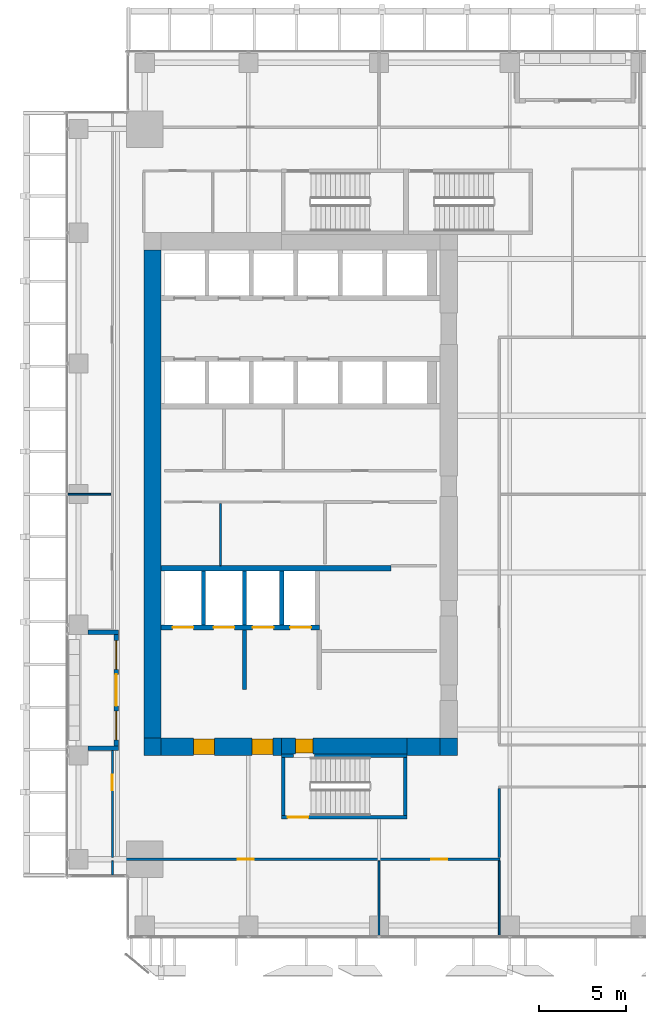
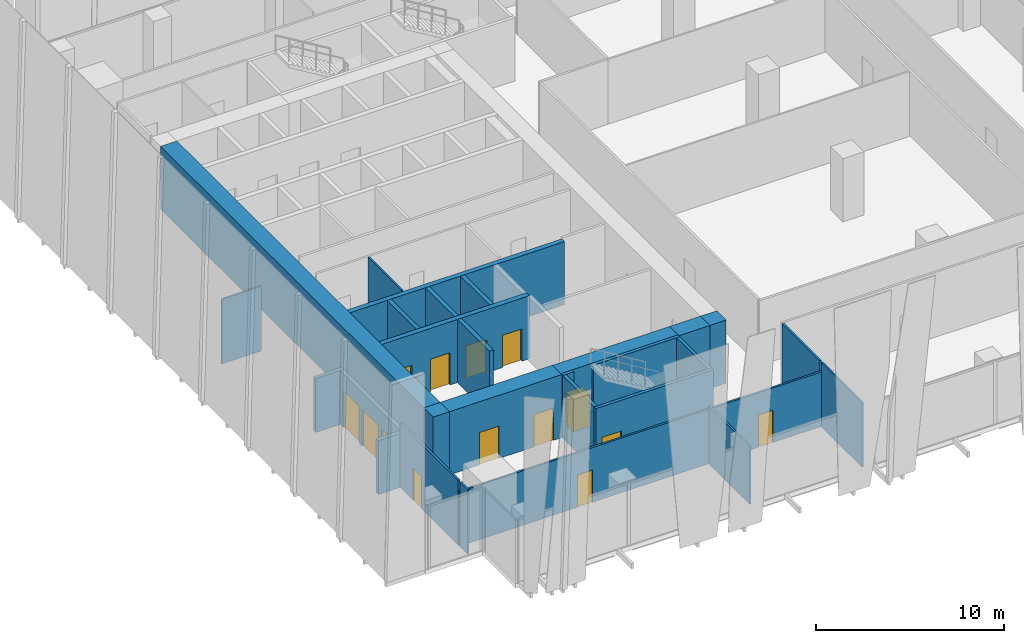
# One storey, part 26 of 34: 28 walls, 12 doors, 2 windows, 14 openings.
"""IFC4 building model written with IfcOpenShell, lengths in metres."""

from ifc_helpers import new_model, si_unit, direction, frame, frame_2d, origin, place, context, subcontext, project, spatial, rectangle, extrude, source, transform, mapped, material, layer, layer_set, type_object, element, fill, save


model = new_model("IFC4")

# Units and contexts
model_context = context("Model", 3, precision=1e-05, world=origin(), true_north=direction((0.0, 1.0)))
body_context = subcontext(model_context, "Body", "Model", "MODEL_VIEW")
ifc_project = project(units=[si_unit("LENGTHUNIT", "METRE"), si_unit("AREAUNIT", "SQUARE_METRE"), si_unit("VOLUMEUNIT", "CUBIC_METRE"), si_unit("PLANEANGLEUNIT", "RADIAN"), si_unit("MASSUNIT", "GRAM", prefix="KILO")], contexts=[model_context])

# Site, building, storey
site_placement = place(None, origin())
site = spatial("IfcSite", under=ifc_project, at=site_placement, CompositionType="ELEMENT")
building_placement = place(site_placement, origin())
building = spatial("IfcBuilding", under=site, at=building_placement, Name="Khomas Fold Tower", CompositionType="ELEMENT")
storey_placement = place(building_placement, frame((0.0, 0.0, 114.699951171875)))
storey = spatial("IfcBuildingStorey", under=building, at=storey_placement, Name="L24", CompositionType="ELEMENT", Elevation=114.699951171875)

# Wall, openings, doors
ifc_material_1 = material(Name="Concrete C70/85", Category="concrete")
ifc_layer_1 = layer(ifc_material_1, 1.0)
ifc_layer_set_1 = layer_set([ifc_layer_1], Name="Concrete C70/85")
wall_type_1 = type_object("IfcWallType", Name="Core wall 1000", PredefinedType="SHEAR", material=ifc_layer_set_1)
shared_shape_1 = source(origin(), body_context, "Body", "SweptSolid", [
    extrude(rectangle(XDim=6.89990234375, YDim=1.0, at=frame_2d((3.449951171875, 0.0))), origin(), (0.0, 0.0, 1.0), 4.10009765625),
])
wall_1_placement = place(storey_placement, frame((7.0, 12.5, 0.0), z_axis=(0.0, 0.0, 1.0), x_axis=(1.0, 0.0, 0.0)))
wall_1 = element("IfcWall", 1, at=wall_1_placement, inside=storey, type_object=wall_type_1, Name="Core wall CW-L-S-L21", PredefinedType="SHEAR", context=body_context, shape_type="MappedRepresentation", body=[
    mapped(shared_shape_1, transform((0.0, 0.0, 0.0))),
])
shared_shape_2 = source(origin(), body_context, "Body", "SweptSolid", [
    extrude(rectangle(XDim=1.199951171875, YDim=2.10009765625, at=frame_2d((0.60009765625, 1.050048828125))), frame((0.0, 0.510009765625, 0.0), z_axis=(0.0, -1.0, 0.0), x_axis=(1.0, 0.0, 0.0)), (0.0, 0.0, 1.0), 1.02001953125),
])
opening_1_placement = place(wall_1_placement, frame((5.199951171875, 0.0, 0.0)))
opening_1 = element("IfcOpeningElement", 2, at=opening_1_placement, cuts=wall_1, Name="Opening 0009", PredefinedType="OPENING", context=body_context, shape_type="MappedRepresentation", body=[
    mapped(shared_shape_2, transform((0.0, 0.0, 0.0))),
])
opening_2_placement = place(wall_1_placement, frame((1.85009765625, 0.0, 0.0)))
opening_2 = element("IfcOpeningElement", 3, at=opening_2_placement, cuts=wall_1, Name="Opening 0009", PredefinedType="OPENING", context=body_context, shape_type="MappedRepresentation", body=[
    mapped(shared_shape_2, transform((0.0, 0.0, 0.0))),
])
ifc_material_2 = material(Name="Steel door leaf", Category="steel")
door_type_1 = type_object("IfcDoorType", Name="Lobby door 1200x2100 right-hand", OperationType="SINGLE_SWING_RIGHT", PredefinedType="DOOR", material=ifc_material_2)
shared_shape_3 = source(origin(), body_context, "Body", "SweptSolid", [
    extrude(rectangle(XDim=1.199951171875, YDim=2.10009765625, at=frame_2d((0.60009765625, 1.050048828125))), frame((0.0, 0.449951171875, 0.0), z_axis=(0.0, -1.0, 0.0), x_axis=(1.0, 0.0, 0.0)), (0.0, 0.0, 1.0), 0.89990234375),
])
door_1_placement = place(opening_1_placement, origin())
door_1 = element("IfcDoor", 4, at=door_1_placement, inside=storey, type_object=door_type_1, Name="Lobby door", OperationType="SINGLE_SWING_RIGHT", OverallHeight=2.10009765625, OverallWidth=1.199951171875, PredefinedType="DOOR", context=body_context, shape_type="MappedRepresentation", body=[
    mapped(shared_shape_3, transform((0.0, 0.0, 0.0))),
])
fill(opening_1, door_1)
door_2_placement = place(opening_2_placement, origin())
door_2 = element("IfcDoor", 5, at=door_2_placement, inside=storey, type_object=door_type_1, Name="Lobby door", OperationType="SINGLE_SWING_RIGHT", OverallHeight=2.10009765625, OverallWidth=1.199951171875, PredefinedType="DOOR", context=body_context, shape_type="MappedRepresentation", body=[
    mapped(shared_shape_3, transform((0.0, 0.0, 0.0))),
])
fill(opening_2, door_2)

# Walls
ifc_material_3 = material(Name="Concrete C70/85", Category="concrete")
ifc_layer_2 = layer(ifc_material_3, 1.0)
ifc_layer_set_2 = layer_set([ifc_layer_2], Name="Concrete C70/85")
wall_type_2 = type_object("IfcWallType", Name="Core corner wall 1000", PredefinedType="SHEAR", material=ifc_layer_set_2)
shared_shape_4 = source(origin(), body_context, "Body", "SweptSolid", [
    extrude(rectangle(XDim=1.0, YDim=1.0, at=frame_2d((0.5, 0.0))), origin(), (0.0, 0.0, 1.0), 4.10009765625),
])
for number, where, z_axis, x_axis, name in (
    (6, (23.0, 12.5, 0.0), (0.0, 0.0, 1.0), (1.0, 0.0, 0.0), "Core wall CW-L-SE-L21"),
    (7, (6.0, 12.5, 0.0), (0.0, 0.0, 1.0), (1.0, 0.0, 0.0), "Core wall CW-L-SW-L21"),
):
    element("IfcWall", number, at=place(storey_placement, frame(where, z_axis=z_axis, x_axis=x_axis)), inside=storey, type_object=wall_type_2, Name=name, PredefinedType="SHEAR", context=body_context, shape_type="MappedRepresentation", body=[
        mapped(shared_shape_4, transform((0.0, 0.0, 0.0))),
    ])

# Wall, opening, door
ifc_material_4 = material(Name="Concrete C70/85", Category="concrete")
ifc_layer_3 = layer(ifc_material_4, 0.89990234375)
ifc_layer_set_3 = layer_set([ifc_layer_3], Name="Concrete C70/85")
wall_type_3 = type_object("IfcWallType", Name="Core wall 900", PredefinedType="SHEAR", material=ifc_layer_set_3)
shared_shape_5 = source(origin(), body_context, "Body", "SweptSolid", [
    extrude(rectangle(XDim=7.2001953125, YDim=0.89990234375, at=frame_2d((3.60009765625, 0.0))), origin(), (0.0, 0.0, 1.0), 4.10009765625),
])
wall_2_placement = place(storey_placement, frame((13.89990234375, 12.550048828125, 0.0), z_axis=(0.0, 0.0, 1.0), x_axis=(1.0, 0.0, 0.0)))
wall_2 = element("IfcWall", 8, at=wall_2_placement, inside=storey, type_object=wall_type_3, Name="Core wall CW-L-S-L21-1", PredefinedType="SHEAR", context=body_context, shape_type="MappedRepresentation", body=[
    mapped(shared_shape_5, transform((0.0, 0.0, 0.0))),
])
shared_shape_6 = source(origin(), body_context, "Body", "SweptSolid", [
    extrude(rectangle(XDim=1.0, YDim=2.10009765625, at=frame_2d((0.5, 1.050048828125))), frame((0.0, 0.4599609375, 0.0), z_axis=(0.0, -1.0, 0.0), x_axis=(1.0, 0.0, 0.0)), (0.0, 0.0, 1.0), 0.919921875),
])
opening_3_placement = place(wall_2_placement, frame((0.800048828125, 0.0, 0.0)))
opening_3 = element("IfcOpeningElement", 9, at=opening_3_placement, cuts=wall_2, Name="Opening 0010", PredefinedType="OPENING", context=body_context, shape_type="MappedRepresentation", body=[
    mapped(shared_shape_6, transform((0.0, 0.0, 0.0))),
])
ifc_material_5 = material(Name="Steel door leaf", Category="steel")
door_type_2 = type_object("IfcDoorType", Name="Stair door 1000x2100 right-hand", OperationType="SINGLE_SWING_RIGHT", PredefinedType="DOOR", material=ifc_material_5)
shared_shape_7 = source(origin(), body_context, "Body", "SweptSolid", [
    extrude(rectangle(XDim=1.0, YDim=2.10009765625, at=frame_2d((0.5, 1.050048828125))), frame((0.0, 0.39990234375, 0.0), z_axis=(0.0, -1.0, 0.0), x_axis=(1.0, 0.0, 0.0)), (0.0, 0.0, 1.0), 0.7998046875),
])
door_3_placement = place(opening_3_placement, origin())
door_3 = element("IfcDoor", 10, at=door_3_placement, inside=storey, type_object=door_type_2, Name="Stair door", OperationType="SINGLE_SWING_RIGHT", OverallHeight=2.10009765625, OverallWidth=1.0, PredefinedType="DOOR", context=body_context, shape_type="MappedRepresentation", body=[
    mapped(shared_shape_7, transform((0.0, 0.0, 0.0))),
])
fill(opening_3, door_3)

# Walls
shared_shape_8 = source(origin(), body_context, "Body", "SweptSolid", [
    extrude(rectangle(XDim=1.89990234375, YDim=1.0, at=frame_2d((0.949951171875, 0.0))), origin(), (0.0, 0.0, 1.0), 4.10009765625),
])
wall_3_placement = place(storey_placement, frame((21.10009765625, 12.5, 0.0), z_axis=(0.0, 0.0, 1.0), x_axis=(1.0, 0.0, 0.0)))
element("IfcWall", 11, at=wall_3_placement, inside=storey, type_object=wall_type_1, Name="Core wall CW-L-S-L21-2", PredefinedType="SHEAR", context=body_context, shape_type="MappedRepresentation", body=[
    mapped(shared_shape_8, transform((0.0, 0.0, 0.0))),
])
shared_shape_9 = source(origin(), body_context, "Body", "SweptSolid", [
    extrude(rectangle(XDim=28.0, YDim=1.0, at=frame_2d((14.0, 0.0))), origin(), (0.0, 0.0, 1.0), 4.10009765625),
])
wall_4_placement = place(storey_placement, frame((6.5, 13.0, 0.0), z_axis=(0.0, 0.0, 1.0), x_axis=(0.0, 1.0, 0.0)))
element("IfcWall", 12, at=wall_4_placement, inside=storey, type_object=wall_type_1, Name="Core wall CW-L-W-L21", PredefinedType="SHEAR", context=body_context, shape_type="MappedRepresentation", body=[
    mapped(shared_shape_9, transform((0.0, 0.0, 0.0))),
])
ifc_material_6 = material(Name="Concrete C50/60", Category="concrete")
ifc_layer_4 = layer(ifc_material_6, 0.199951171875)
ifc_layer_set_4 = layer_set([ifc_layer_4], Name="Concrete C50/60")
wall_type_4 = type_object("IfcWallType", Name="Stair wall 200", PredefinedType="SHEAR", material=ifc_layer_set_4)
shared_shape_10 = source(origin(), body_context, "Body", "SweptSolid", [
    extrude(rectangle(XDim=0.7001953125, YDim=0.199951171875, at=frame_2d((0.35009765625, 0.0))), origin(), (0.0, 0.0, 1.0), 4.10009765625),
])
wall_5_placement = place(storey_placement, frame((13.89990234375, 12.0, 0.0), z_axis=(0.0, 0.0, 1.0), x_axis=(1.0, 0.0, 0.0)))
element("IfcWall", 13, at=wall_5_placement, inside=storey, type_object=wall_type_4, Name="Stair wall SW-ST2-N", PredefinedType="SHEAR", context=body_context, shape_type="MappedRepresentation", body=[
    mapped(shared_shape_10, transform((0.0, 0.0, 0.0))),
])
shared_shape_11 = source(origin(), body_context, "Body", "SweptSolid", [
    extrude(rectangle(XDim=5.300048828125, YDim=0.199951171875, at=frame_2d((2.64990234375, 0.0))), origin(), (0.0, 0.0, 1.0), 4.10009765625),
])
wall_6_placement = place(storey_placement, frame((15.800048828125, 12.0, 0.0), z_axis=(0.0, 0.0, 1.0), x_axis=(1.0, 0.0, 0.0)))
element("IfcWall", 14, at=wall_6_placement, inside=storey, type_object=wall_type_4, Name="Stair wall SW-ST2-NB", PredefinedType="SHEAR", context=body_context, shape_type="MappedRepresentation", body=[
    mapped(shared_shape_11, transform((0.0, 0.0, 0.0))),
])

# Wall, opening, door
shared_shape_12 = source(origin(), body_context, "Body", "SweptSolid", [
    extrude(rectangle(XDim=7.2001953125, YDim=0.199951171875, at=frame_2d((3.60009765625, 0.0))), origin(), (0.0, 0.0, 1.0), 4.10009765625),
])
wall_7_placement = place(storey_placement, frame((13.89990234375, 8.449951171875, 0.0), z_axis=(0.0, 0.0, 1.0), x_axis=(1.0, 0.0, 0.0)))
wall_7 = element("IfcWall", 15, at=wall_7_placement, inside=storey, type_object=wall_type_4, Name="Stair wall SW-ST2-S", PredefinedType="SHEAR", context=body_context, shape_type="MappedRepresentation", body=[
    mapped(shared_shape_12, transform((0.0, 0.0, 0.0))),
])
shared_shape_13 = source(origin(), body_context, "Body", "SweptSolid", [
    extrude(rectangle(XDim=1.199951171875, YDim=2.10009765625, at=frame_2d((0.60009765625, 1.050048828125))), frame((0.0, 0.10986328125, 0.0), z_axis=(0.0, -1.0, 0.0), x_axis=(1.0, 0.0, 0.0)), (0.0, 0.0, 1.0), 0.219970703125),
])
opening_4_placement = place(wall_7_placement, frame((0.35009765625, 0.0, 0.0)))
opening_4 = element("IfcOpeningElement", 16, at=opening_4_placement, cuts=wall_7, Name="Opening SD-ST2", PredefinedType="OPENING", context=body_context, shape_type="MappedRepresentation", body=[
    mapped(shared_shape_13, transform((0.0, 0.0, 0.0))),
])
ifc_material_7 = material(Name="Steel door leaf", Category="steel")
door_type_3 = type_object("IfcDoorType", Name="Stair door 1200x2100 right-hand", OperationType="SINGLE_SWING_RIGHT", PredefinedType="DOOR", material=ifc_material_7)
shared_shape_14 = source(origin(), body_context, "Body", "SweptSolid", [
    extrude(rectangle(XDim=1.199951171875, YDim=2.10009765625, at=frame_2d((0.60009765625, 1.050048828125))), frame((0.0, 0.02490234375, 0.0), z_axis=(0.0, -1.0, 0.0), x_axis=(1.0, 0.0, 0.0)), (0.0, 0.0, 1.0), 0.050048828125),
])
door_4_placement = place(opening_4_placement, origin())
door_4 = element("IfcDoor", 17, at=door_4_placement, inside=storey, type_object=door_type_3, Name="Stair door", OperationType="SINGLE_SWING_RIGHT", OverallHeight=2.10009765625, OverallWidth=1.199951171875, PredefinedType="DOOR", context=body_context, shape_type="MappedRepresentation", body=[
    mapped(shared_shape_14, transform((0.0, 0.0, 0.0))),
])
fill(opening_4, door_4)

# Walls
shared_shape_15 = source(origin(), body_context, "Body", "SweptSolid", [
    extrude(rectangle(XDim=3.349853515625, YDim=0.199951171875, at=frame_2d((1.6748046875, 0.0))), origin(), (0.0, 0.0, 1.0), 4.10009765625),
])
for number, where, z_axis, x_axis, name in (
    (18, (21.0, 8.550048828125, 0.0), (0.0, 0.0, 1.0), (0.0, 1.0, 0.0), "Stair wall SW-ST2-E"),
    (19, (14.0, 8.550048828125, 0.0), (0.0, 0.0, 1.0), (0.0, 1.0, 0.0), "Stair wall SW-ST2-W"),
):
    element("IfcWall", number, at=place(storey_placement, frame(where, z_axis=z_axis, x_axis=x_axis)), inside=storey, type_object=wall_type_4, Name=name, PredefinedType="SHEAR", context=body_context, shape_type="MappedRepresentation", body=[
        mapped(shared_shape_15, transform((0.0, 0.0, 0.0))),
    ])
ifc_material_8 = material(Name="Concrete C50/60", Category="concrete")
ifc_layer_5 = layer(ifc_material_8, 0.300048828125)
ifc_layer_set_5 = layer_set([ifc_layer_5], Name="Concrete C50/60")
wall_type_5 = type_object("IfcWallType", Name="Shaft wall 300", PredefinedType="STANDARD", material=ifc_layer_set_5)
shared_shape_16 = source(origin(), body_context, "Body", "SweptSolid", [
    extrude(rectangle(XDim=13.199951171875, YDim=0.300048828125, at=frame_2d((6.60009765625, 0.0))), origin(), (0.0, 0.0, 1.0), 4.10009765625),
])
wall_8_placement = place(storey_placement, frame((7.0, 22.75, 0.0), z_axis=(0.0, 0.0, 1.0), x_axis=(1.0, 0.0, 0.0)))
element("IfcWall", 20, at=wall_8_placement, inside=storey, type_object=wall_type_5, Name="Core wall SW-FS-B", PredefinedType="STANDARD", context=body_context, shape_type="MappedRepresentation", body=[
    mapped(shared_shape_16, transform((0.0, 0.0, 0.0))),
])

# Wall, openings, doors
shared_shape_17 = source(origin(), body_context, "Body", "SweptSolid", [
    extrude(rectangle(XDim=9.074951171875, YDim=0.300048828125, at=frame_2d((4.53759765625, 0.0))), origin(), (0.0, 0.0, 1.0), 4.10009765625),
])
wall_9_placement = place(storey_placement, frame((7.0, 19.35009765625, 0.0), z_axis=(0.0, 0.0, 1.0), x_axis=(1.0, 0.0, 0.0)))
wall_9 = element("IfcWall", 21, at=wall_9_placement, inside=storey, type_object=wall_type_5, Name="Core wall SW-FS-F", PredefinedType="STANDARD", context=body_context, shape_type="MappedRepresentation", body=[
    mapped(shared_shape_17, transform((0.0, 0.0, 0.0))),
])
shared_shape_18 = source(origin(), body_context, "Body", "SweptSolid", [
    extrude(rectangle(XDim=1.199951171875, YDim=2.10009765625, at=frame_2d((0.60009765625, 1.050048828125))), frame((0.0, 0.159912109375, 0.0), z_axis=(0.0, -1.0, 0.0), x_axis=(1.0, 0.0, 0.0)), (0.0, 0.0, 1.0), 0.320068359375),
])
opening_5_placement = place(wall_9_placement, frame((0.64990234375, 0.0, 0.0)))
opening_5 = element("IfcOpeningElement", 22, at=opening_5_placement, cuts=wall_9, Name="Opening LD-SV1", PredefinedType="OPENING", context=body_context, shape_type="MappedRepresentation", body=[
    mapped(shared_shape_18, transform((0.0, 0.0, 0.0))),
])
opening_6_placement = place(wall_9_placement, frame((3.0, 0.0, 0.0)))
opening_6 = element("IfcOpeningElement", 23, at=opening_6_placement, cuts=wall_9, Name="Opening LD-SV2", PredefinedType="OPENING", context=body_context, shape_type="MappedRepresentation", body=[
    mapped(shared_shape_18, transform((0.0, 0.0, 0.0))),
])
opening_7_placement = place(wall_9_placement, frame((5.25, 0.0, 0.0)))
opening_7 = element("IfcOpeningElement", 24, at=opening_7_placement, cuts=wall_9, Name="Opening LD-FF1", PredefinedType="OPENING", context=body_context, shape_type="MappedRepresentation", body=[
    mapped(shared_shape_18, transform((0.0, 0.0, 0.0))),
])
opening_8_placement = place(wall_9_placement, frame((7.39990234375, 0.0, 0.0)))
opening_8 = element("IfcOpeningElement", 25, at=opening_8_placement, cuts=wall_9, Name="Opening LD-FF2", PredefinedType="OPENING", context=body_context, shape_type="MappedRepresentation", body=[
    mapped(shared_shape_18, transform((0.0, 0.0, 0.0))),
])
ifc_material_9 = material(Name="Steel door leaf", Category="steel")
door_type_4 = type_object("IfcDoorType", Name="Landing door 1200x2100", OperationType="DOUBLE_DOOR_SLIDING", PredefinedType="DOOR", material=ifc_material_9)
door_5_placement = place(opening_5_placement, origin())
door_5 = element("IfcDoor", 26, at=door_5_placement, inside=storey, type_object=door_type_4, Name="Lift landing door", OperationType="DOUBLE_DOOR_SLIDING", OverallHeight=2.10009765625, OverallWidth=1.199951171875, PredefinedType="DOOR", context=body_context, shape_type="MappedRepresentation", body=[
    mapped(shared_shape_14, transform((0.0, 0.0, 0.0))),
])
fill(opening_5, door_5)
door_6_placement = place(opening_6_placement, origin())
door_6 = element("IfcDoor", 27, at=door_6_placement, inside=storey, type_object=door_type_4, Name="Lift landing door", OperationType="DOUBLE_DOOR_SLIDING", OverallHeight=2.10009765625, OverallWidth=1.199951171875, PredefinedType="DOOR", context=body_context, shape_type="MappedRepresentation", body=[
    mapped(shared_shape_14, transform((0.0, 0.0, 0.0))),
])
fill(opening_6, door_6)
door_7_placement = place(opening_7_placement, origin())
door_7 = element("IfcDoor", 28, at=door_7_placement, inside=storey, type_object=door_type_4, Name="Lift landing door", OperationType="DOUBLE_DOOR_SLIDING", OverallHeight=2.10009765625, OverallWidth=1.199951171875, PredefinedType="DOOR", context=body_context, shape_type="MappedRepresentation", body=[
    mapped(shared_shape_14, transform((0.0, 0.0, 0.0))),
])
fill(opening_7, door_7)
door_8_placement = place(opening_8_placement, origin())
door_8 = element("IfcDoor", 29, at=door_8_placement, inside=storey, type_object=door_type_4, Name="Lift landing door", OperationType="DOUBLE_DOOR_SLIDING", OverallHeight=2.10009765625, OverallWidth=1.199951171875, PredefinedType="DOOR", context=body_context, shape_type="MappedRepresentation", body=[
    mapped(shared_shape_14, transform((0.0, 0.0, 0.0))),
])
fill(opening_8, door_8)

# Walls
ifc_material_10 = material(Name="Concrete C50/60", Category="concrete")
ifc_layer_6 = layer(ifc_material_10, 0.25)
ifc_layer_set_6 = layer_set([ifc_layer_6], Name="Concrete C50/60")
wall_type_6 = type_object("IfcWallType", Name="Shaft wall 250", PredefinedType="STANDARD", material=ifc_layer_set_6)
shared_shape_19 = source(origin(), body_context, "Body", "SweptSolid", [
    extrude(rectangle(XDim=3.10009765625, YDim=0.25, at=frame_2d((1.550048828125, 0.0))), origin(), (0.0, 0.0, 1.0), 4.10009765625),
])
for number, where, z_axis, x_axis, name in (
    (30, (9.425048828125, 19.5, 0.0), (0.0, 0.0, 1.0), (0.0, 1.0, 0.0), "Core wall SW-FS-P1"),
    (31, (11.77490234375, 19.5, 0.0), (0.0, 0.0, 1.0), (0.0, 1.0, 0.0), "Core wall SW-FS-P2"),
    (32, (13.925048828125, 19.5, 0.0), (0.0, 0.0, 1.0), (0.0, 1.0, 0.0), "Core wall SW-FS-P3"),
):
    element("IfcWall", number, at=place(storey_placement, frame(where, z_axis=z_axis, x_axis=x_axis)), inside=storey, type_object=wall_type_6, Name=name, PredefinedType="STANDARD", context=body_context, shape_type="MappedRepresentation", body=[
        mapped(shared_shape_19, transform((0.0, 0.0, 0.0))),
    ])
ifc_material_11 = material(Name="Concrete C50/60", Category="concrete")
ifc_layer_7 = layer(ifc_material_11, 0.25)
ifc_layer_set_7 = layer_set([ifc_layer_7], Name="Concrete C50/60")
wall_type_7 = type_object("IfcWallType", Name="Lobby wall 250", PredefinedType="STANDARD", material=ifc_layer_set_7)
shared_shape_20 = source(origin(), body_context, "Body", "SweptSolid", [
    extrude(rectangle(XDim=3.39990234375, YDim=0.25, at=frame_2d((1.699951171875, 0.0))), origin(), (0.0, 0.0, 1.0), 4.10009765625),
])
wall_10_placement = place(storey_placement, frame((11.77490234375, 15.800048828125, 0.0), z_axis=(0.0, 0.0, 1.0), x_axis=(0.0, 1.0, 0.0)))
element("IfcWall", 33, at=wall_10_placement, inside=storey, type_object=wall_type_7, Name="Core wall SW-FS-SEP", PredefinedType="STANDARD", context=body_context, shape_type="MappedRepresentation", body=[
    mapped(shared_shape_20, transform((0.0, 0.0, 0.0))),
])

# Wall, openings, door, windows
ifc_material_12 = material(Name="Natural stone", Category="masonry")
ifc_layer_8 = layer(ifc_material_12, 0.0400390625)
ifc_material_13 = material(Name="Mineral wool insulation", Category="insulation")
ifc_layer_9 = layer(ifc_material_13, 0.10009765625)
ifc_material_14 = material(Name="Masonry", Category="masonry")
ifc_layer_10 = layer(ifc_material_14, 0.110107421875)
ifc_layer_set_8 = layer_set([ifc_layer_8, ifc_layer_9, ifc_layer_10], Name="Stone-faced insulated masonry")
wall_type_8 = type_object("IfcWallType", Name="BL-Balcony wall", PredefinedType="SOLIDWALL", material=ifc_layer_set_8)
shared_shape_21 = source(origin(), body_context, "Body", "SweptSolid", [
    extrude(rectangle(XDim=6.39990234375, YDim=0.25, at=frame_2d((3.199951171875, 0.0))), origin(), (0.0, 0.0, 1.0), 3.5),
])
wall_11_placement = place(storey_placement, frame((4.425048828125, 12.550048828125, 0.0), z_axis=(0.0, 0.0, 1.0), x_axis=(0.0, 1.0, 0.0)))
wall_11 = element("IfcWall", 34, at=wall_11_placement, inside=storey, type_object=wall_type_8, Name="Balcony wall BAL-L24-W1", PredefinedType="SOLIDWALL", context=body_context, shape_type="MappedRepresentation", body=[
    mapped(shared_shape_21, transform((0.0, 0.0, 0.0))),
])
shared_shape_22 = source(origin(), body_context, "Body", "SweptSolid", [
    extrude(rectangle(XDim=1.64990234375, YDim=2.39990234375, at=frame_2d((0.824951171875, 1.199951171875))), frame((0.0, 0.135009765625, 0.0), z_axis=(0.0, -1.0, 0.0), x_axis=(1.0, 0.0, 0.0)), (0.0, 0.0, 1.0), 0.27001953125),
])
opening_9_placement = place(wall_11_placement, frame((0.35009765625, 0.0, 0.0)))
opening_9 = element("IfcOpeningElement", 35, at=opening_9_placement, cuts=wall_11, Name="Opening BL-W2", PredefinedType="OPENING", context=body_context, shape_type="MappedRepresentation", body=[
    mapped(shared_shape_22, transform((0.0, 0.0, 0.0))),
])
opening_10_placement = place(wall_11_placement, frame((4.39990234375, 0.0, 0.0)))
opening_10 = element("IfcOpeningElement", 36, at=opening_10_placement, cuts=wall_11, Name="Opening BL-W2", PredefinedType="OPENING", context=body_context, shape_type="MappedRepresentation", body=[
    mapped(shared_shape_22, transform((0.0, 0.0, 0.0))),
])
shared_shape_23 = source(origin(), body_context, "Body", "SweptSolid", [
    extrude(rectangle(XDim=1.800048828125, YDim=2.39990234375, at=frame_2d((0.89990234375, 1.199951171875))), frame((0.0, 0.135009765625, 0.0), z_axis=(0.0, -1.0, 0.0), x_axis=(1.0, 0.0, 0.0)), (0.0, 0.0, 1.0), 0.27001953125),
])
opening_11_placement = place(wall_11_placement, frame((2.300048828125, 0.0, 0.0)))
opening_11 = element("IfcOpeningElement", 37, at=opening_11_placement, cuts=wall_11, Name="Opening BD242", PredefinedType="OPENING", context=body_context, shape_type="MappedRepresentation", body=[
    mapped(shared_shape_23, transform((0.0, 0.0, 0.0))),
])
ifc_material_15 = material(Name="Aluminium framed double glazing", Category="aluminium")
door_type_5 = type_object("IfcDoorType", Name="BL-Glazed balcony door 1800 x 2400", OperationType="DOUBLE_DOOR_DOUBLE_SWING", PredefinedType="DOOR", material=ifc_material_15)
shared_shape_24 = source(origin(), body_context, "Body", "SweptSolid", [
    extrude(rectangle(XDim=1.800048828125, YDim=2.39990234375, at=frame_2d((0.89990234375, 1.199951171875))), frame((0.0, 0.02490234375, 0.0), z_axis=(0.0, -1.0, 0.0), x_axis=(1.0, 0.0, 0.0)), (0.0, 0.0, 1.0), 0.050048828125),
])
door_9_placement = place(opening_11_placement, origin())
door_9 = element("IfcDoor", 38, at=door_9_placement, inside=storey, type_object=door_type_5, Name="Balcony door BD242", OperationType="DOUBLE_DOOR_DOUBLE_SWING", OverallHeight=2.39990234375, OverallWidth=1.800048828125, PredefinedType="DOOR", context=body_context, shape_type="MappedRepresentation", body=[
    mapped(shared_shape_24, transform((0.0, 0.0, 0.0))),
])
fill(opening_11, door_9)
ifc_material_16 = material(Name="Aluminium framed double glazing", Category="aluminium")
window_type = type_object("IfcWindowType", Name="BL-Fixed glazing 1650 x 2400", PartitioningType="SINGLE_PANEL", PredefinedType="WINDOW", material=ifc_material_16)
shared_shape_25 = source(origin(), body_context, "Body", "SweptSolid", [
    extrude(rectangle(XDim=1.64990234375, YDim=2.39990234375, at=frame_2d((0.824951171875, 1.199951171875))), frame((0.0, 0.030029296875, 0.0), z_axis=(0.0, -1.0, 0.0), x_axis=(1.0, 0.0, 0.0)), (0.0, 0.0, 1.0), 0.06005859375),
])
window_1_placement = place(opening_9_placement, origin())
window_1 = element("IfcWindow", 39, at=window_1_placement, inside=storey, type_object=window_type, Name="Balcony glazing BAL-L24-W1-1", OverallHeight=2.39990234375, OverallWidth=1.64990234375, PartitioningType="SINGLE_PANEL", PredefinedType="WINDOW", context=body_context, shape_type="MappedRepresentation", body=[
    mapped(shared_shape_25, transform((0.0, 0.0, 0.0))),
])
fill(opening_9, window_1)
window_2_placement = place(opening_10_placement, origin())
window_2 = element("IfcWindow", 40, at=window_2_placement, inside=storey, type_object=window_type, Name="Balcony glazing BAL-L24-W1-2", OverallHeight=2.39990234375, OverallWidth=1.64990234375, PartitioningType="SINGLE_PANEL", PredefinedType="WINDOW", context=body_context, shape_type="MappedRepresentation", body=[
    mapped(shared_shape_25, transform((0.0, 0.0, 0.0))),
])
fill(opening_10, window_2)

# Walls
shared_shape_26 = source(origin(), body_context, "Body", "SweptSolid", [
    extrude(rectangle(XDim=1.75, YDim=0.25, at=frame_2d((0.875, 0.0))), origin(), (0.0, 0.0, 1.0), 3.5),
])
for number, where, z_axis, x_axis, name in (
    (41, (2.800048828125, 12.425048828125, 0.0), (0.0, 0.0, 1.0), (1.0, 0.0, 0.0), "Balcony return wall BAL-L24-W1-lo"),
    (42, (2.800048828125, 19.074951171875, 0.0), (0.0, 0.0, 1.0), (1.0, 0.0, 0.0), "Balcony return wall BAL-L24-W1-hi"),
):
    element("IfcWall", number, at=place(storey_placement, frame(where, z_axis=z_axis, x_axis=x_axis)), inside=storey, type_object=wall_type_8, Name=name, PredefinedType="SOLIDWALL", context=body_context, shape_type="MappedRepresentation", body=[
        mapped(shared_shape_26, transform((0.0, 0.0, 0.0))),
    ])
ifc_material_17 = material(Name="Plasterboard partition")
ifc_layer_11 = layer(ifc_material_17, 0.10009765625)
ifc_layer_set_9 = layer_set([ifc_layer_11], Name="Plasterboard partition")
wall_type_9 = type_object("IfcWallType", Name="Partition PW1 100", PredefinedType="PARTITIONING", material=ifc_layer_set_9)
shared_shape_27 = source(origin(), body_context, "Body", "SweptSolid", [
    extrude(rectangle(XDim=4.300048828125, YDim=0.10009765625, at=frame_2d((2.14990234375, 0.0))), origin(), (0.0, 0.0, 1.0), 3.77001953125),
])
wall_12_placement = place(storey_placement, frame((19.5, 1.64990234375, 0.0), z_axis=(0.0, 0.0, 1.0), x_axis=(0.0, 1.0, 0.0)))
element("IfcWall", 43, at=wall_12_placement, inside=storey, type_object=wall_type_9, Name="Partition", PredefinedType="PARTITIONING", context=body_context, shape_type="MappedRepresentation", body=[
    mapped(shared_shape_27, transform((0.0, 0.0, 0.0))),
])
shared_shape_28 = source(origin(), body_context, "Body", "SweptSolid", [
    extrude(rectangle(XDim=4.300048828125, YDim=0.10009765625, at=frame_2d((2.14990234375, 0.0))), origin(), (0.0, 0.0, 1.0), 4.199951171875),
])
wall_13_placement = place(storey_placement, frame((26.39990234375, 1.64990234375, 0.0), z_axis=(0.0, 0.0, 1.0), x_axis=(0.0, 1.0, 0.0)))
element("IfcWall", 44, at=wall_13_placement, inside=storey, type_object=wall_type_9, Name="Partition", PredefinedType="PARTITIONING", context=body_context, shape_type="MappedRepresentation", body=[
    mapped(shared_shape_28, transform((0.0, 0.0, 0.0))),
])
shared_shape_29 = source(origin(), body_context, "Body", "SweptSolid", [
    extrude(rectangle(XDim=0.800048828125, YDim=0.10009765625, at=frame_2d((0.39990234375, 0.0))), origin(), (0.0, 0.0, 1.0), 4.199951171875),
])
wall_14_placement = place(storey_placement, frame((4.199951171875, 5.14990234375, 0.0), z_axis=(0.0, 0.0, 1.0), x_axis=(0.0, 1.0, 0.0)))
element("IfcWall", 45, at=wall_14_placement, inside=storey, type_object=wall_type_9, Name="Partition", PredefinedType="PARTITIONING", context=body_context, shape_type="MappedRepresentation", body=[
    mapped(shared_shape_29, transform((0.0, 0.0, 0.0))),
])

# Wall, openings, doors
ifc_material_18 = material(Name="Plasterboard partition")
ifc_layer_12 = layer(ifc_material_18, 0.125)
ifc_layer_set_10 = layer_set([ifc_layer_12], Name="Plasterboard partition")
wall_type_10 = type_object("IfcWallType", Name="Partition PW2 125", PredefinedType="PARTITIONING", material=ifc_layer_set_10)
shared_shape_30 = source(origin(), body_context, "Body", "SweptSolid", [
    extrude(rectangle(XDim=22.300048828125, YDim=0.125, at=frame_2d((11.14990234375, 0.0))), origin(), (0.0, 0.0, 1.0), 3.550048828125),
])
wall_15_placement = place(storey_placement, frame((4.14990234375, 6.050048828125, 0.0), z_axis=(0.0, 0.0, 1.0), x_axis=(1.0, 0.0, 0.0)))
wall_15 = element("IfcWall", 46, at=wall_15_placement, inside=storey, type_object=wall_type_10, Name="Partition", PredefinedType="PARTITIONING", context=body_context, shape_type="MappedRepresentation", body=[
    mapped(shared_shape_30, transform((0.0, 0.0, 0.0))),
])
shared_shape_31 = source(origin(), body_context, "Body", "SweptSolid", [
    extrude(rectangle(XDim=0.89990234375, YDim=2.10009765625, at=frame_2d((0.449951171875, 1.050048828125))), frame((0.0, 0.072509765625, 0.0), z_axis=(0.0, -1.0, 0.0), x_axis=(1.0, 0.0, 0.0)), (0.0, 0.0, 1.0), 0.14501953125),
])
opening_12_placement = place(wall_15_placement, frame((7.25, 0.0, 0.0)))
opening_12 = element("IfcOpeningElement", 47, at=opening_12_placement, cuts=wall_15, Name="Opening 0008", PredefinedType="OPENING", context=body_context, shape_type="MappedRepresentation", body=[
    mapped(shared_shape_31, transform((0.0, 0.0, 0.0))),
])
opening_13_placement = place(wall_15_placement, frame((18.35009765625, 0.0, 0.0)))
opening_13 = element("IfcOpeningElement", 48, at=opening_13_placement, cuts=wall_15, Name="Opening 0007", PredefinedType="OPENING", context=body_context, shape_type="MappedRepresentation", body=[
    mapped(shared_shape_31, transform((0.0, 0.0, 0.0))),
])
ifc_material_19 = material(Name="Timber door leaf", Category="wood")
door_type_6 = type_object("IfcDoorType", Name="Door 900x2100 right-hand", OperationType="SINGLE_SWING_RIGHT", PredefinedType="DOOR", material=ifc_material_19)
shared_shape_32 = source(origin(), body_context, "Body", "SweptSolid", [
    extrude(rectangle(XDim=0.89990234375, YDim=2.10009765625, at=frame_2d((0.449951171875, 1.050048828125))), frame((0.0, 0.02490234375, 0.0), z_axis=(0.0, -1.0, 0.0), x_axis=(1.0, 0.0, 0.0)), (0.0, 0.0, 1.0), 0.050048828125),
])
door_10_placement = place(opening_12_placement, origin())
door_10 = element("IfcDoor", 49, at=door_10_placement, inside=storey, type_object=door_type_6, Name="Door", OperationType="SINGLE_SWING_RIGHT", OverallHeight=2.10009765625, OverallWidth=0.89990234375, PredefinedType="DOOR", context=body_context, shape_type="MappedRepresentation", body=[
    mapped(shared_shape_32, transform((0.0, 0.0, 0.0))),
])
fill(opening_12, door_10)
ifc_material_20 = material(Name="Timber door leaf", Category="wood")
door_type_7 = type_object("IfcDoorType", Name="Door 900x2100 left-hand", OperationType="SINGLE_SWING_LEFT", PredefinedType="DOOR", material=ifc_material_20)
door_11_placement = place(opening_13_placement, origin())
door_11 = element("IfcDoor", 50, at=door_11_placement, inside=storey, type_object=door_type_7, Name="Door", OperationType="SINGLE_SWING_LEFT", OverallHeight=2.10009765625, OverallWidth=0.89990234375, PredefinedType="DOOR", context=body_context, shape_type="MappedRepresentation", body=[
    mapped(shared_shape_32, transform((0.0, 0.0, 0.0))),
])
fill(opening_13, door_11)

# Walls
shared_shape_33 = source(origin(), body_context, "Body", "SweptSolid", [
    extrude(rectangle(XDim=3.9501953125, YDim=0.125, at=frame_2d((1.97509765625, 0.0))), origin(), (0.0, 0.0, 1.0), 4.199951171875),
])
wall_16_placement = place(storey_placement, frame((26.39990234375, 6.14990234375, 0.0), z_axis=(0.0, 0.0, 1.0), x_axis=(0.0, 1.0, 0.0)))
element("IfcWall", 51, at=wall_16_placement, inside=storey, type_object=wall_type_10, Name="Partition", PredefinedType="PARTITIONING", context=body_context, shape_type="MappedRepresentation", body=[
    mapped(shared_shape_33, transform((0.0, 0.0, 0.0))),
])
shared_shape_34 = source(origin(), body_context, "Body", "SweptSolid", [
    extrude(rectangle(XDim=2.4501953125, YDim=0.10009765625, at=frame_2d((1.22509765625, 0.0))), origin(), (0.0, 0.0, 1.0), 4.199951171875),
])
wall_17_placement = place(storey_placement, frame((1.64990234375, 27.0, 0.0), z_axis=(0.0, 0.0, 1.0), x_axis=(1.0, 0.0, 0.0)))
element("IfcWall", 52, at=wall_17_placement, inside=storey, type_object=wall_type_9, Name="Partition", PredefinedType="PARTITIONING", context=body_context, shape_type="MappedRepresentation", body=[
    mapped(shared_shape_34, transform((0.0, 0.0, 0.0))),
])

# Wall, opening, door
shared_shape_35 = source(origin(), body_context, "Body", "SweptSolid", [
    extrude(rectangle(XDim=6.150146484375, YDim=0.125, at=frame_2d((3.0751953125, 0.0))), origin(), (0.0, 0.0, 1.0), 4.199951171875),
])
wall_18_placement = place(storey_placement, frame((4.199951171875, 6.14990234375, 0.0), z_axis=(0.0, 0.0, 1.0), x_axis=(0.0, 1.0, 0.0)))
wall_18 = element("IfcWall", 53, at=wall_18_placement, inside=storey, type_object=wall_type_10, Name="Partition", PredefinedType="PARTITIONING", context=body_context, shape_type="MappedRepresentation", body=[
    mapped(shared_shape_35, transform((0.0, 0.0, 0.0))),
])
opening_14_placement = place(wall_18_placement, frame((3.85009765625, 0.0, 0.0)))
opening_14 = element("IfcOpeningElement", 54, at=opening_14_placement, cuts=wall_18, Name="Opening 0007", PredefinedType="OPENING", context=body_context, shape_type="MappedRepresentation", body=[
    mapped(shared_shape_31, transform((0.0, 0.0, 0.0))),
])
door_12_placement = place(opening_14_placement, origin())
door_12 = element("IfcDoor", 55, at=door_12_placement, inside=storey, type_object=door_type_7, Name="Door", OperationType="SINGLE_SWING_LEFT", OverallHeight=2.10009765625, OverallWidth=0.89990234375, PredefinedType="DOOR", context=body_context, shape_type="MappedRepresentation", body=[
    mapped(shared_shape_32, transform((0.0, 0.0, 0.0))),
])
fill(opening_14, door_12)

# Wall
shared_shape_36 = source(origin(), body_context, "Body", "SweptSolid", [
    extrude(rectangle(XDim=3.550048828125, YDim=0.10009765625, at=frame_2d((1.77490234375, 0.0))), origin(), (0.0, 0.0, 1.0), 4.199951171875),
])
wall_19_placement = place(storey_placement, frame((10.39990234375, 22.89990234375, 0.0), z_axis=(0.0, 0.0, 1.0), x_axis=(0.0, 1.0, 0.0)))
element("IfcWall", 56, at=wall_19_placement, inside=storey, type_object=wall_type_9, Name="Partition", PredefinedType="PARTITIONING", context=body_context, shape_type="MappedRepresentation", body=[
    mapped(shared_shape_36, transform((0.0, 0.0, 0.0))),
])

save(model, "model.ifc")
